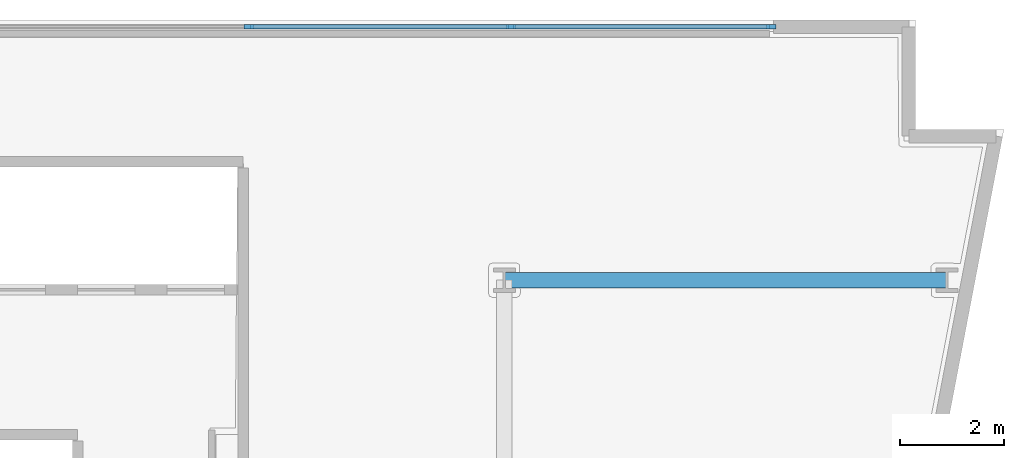
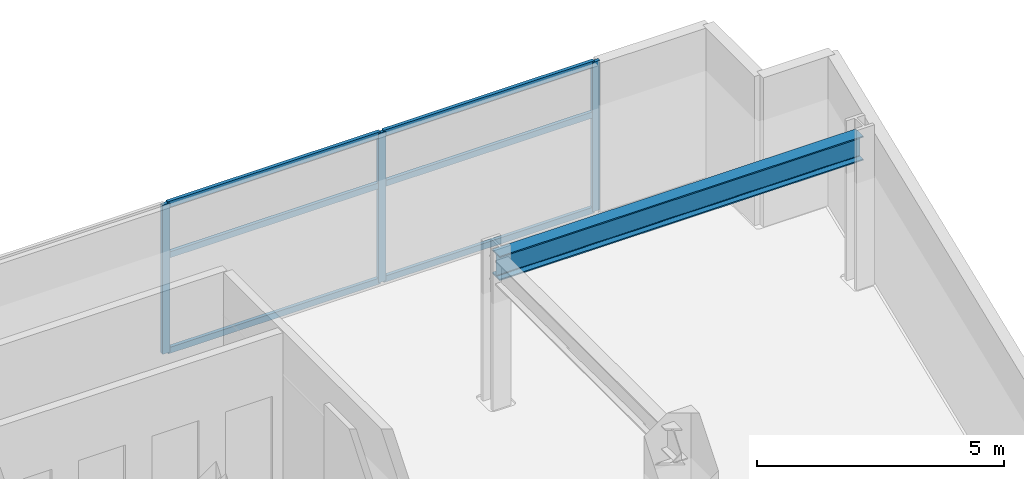
# One storey, part 4 of 13: 9 members, 1 beam, 1 element without a shape of its own.
"""IFC4 building model written with IfcOpenShell, lengths in metres."""

from ifc_helpers import new_model, si_unit, direction, frame, origin, origin_2d, place, context, subcontext, project, spatial, rectangle, i_section, extrude, material, layer, layer_set, material_profile, profile_set, type_object, element, aggregate, save


model = new_model("IFC4")

# Units and contexts
model_context = context("Model", 3, precision=1e-05, world=origin(), true_north=direction((0.0, 1.0)))
body_context = subcontext(model_context, "Body", "Model", "MODEL_VIEW")
ifc_project = project(units=[si_unit("LENGTHUNIT", "METRE"), si_unit("AREAUNIT", "SQUARE_METRE"), si_unit("VOLUMEUNIT", "CUBIC_METRE"), si_unit("PLANEANGLEUNIT", "RADIAN"), si_unit("MASSUNIT", "GRAM", prefix="KILO")], contexts=[model_context])

# Site, building, storey
site_placement = place(None, origin())
site = spatial("IfcSite", under=ifc_project, at=site_placement, CompositionType="ELEMENT")
building_placement = place(site_placement, origin())
building = spatial("IfcBuilding", under=site, at=building_placement, Name="Caeloran Harvest Quay", CompositionType="ELEMENT")
storey_placement = place(building_placement, frame((0.0, 0.0, 162.75)))
storey = spatial("IfcBuildingStorey", under=building, at=storey_placement, Name="L38", CompositionType="ELEMENT", Elevation=162.75)

# Beam
ifc_material_1 = material(Name="Steel S355J2", Category="steel")
ifc_material_profile_1 = material_profile(ifc_material_1, i_section(OverallWidth=0.300048828125, OverallDepth=0.60009765625, WebThickness=0.015380859375, FlangeThickness=0.030029296875, FilletRadius=0.027099609375, at=origin_2d()), Name="HE 600 B")
ifc_profile_set_1 = profile_set([ifc_material_profile_1], Name="Steel S355J2")
beam_type = type_object("IfcBeamType", Name="BM-PG-3-HE_600_B", PredefinedType="BEAM", material=ifc_profile_set_1)
beam_placement = place(storey_placement, frame((42.5, 38.5, 3.389892578125), z_axis=(1.0, 0.0, 0.0), x_axis=(0.0, 1.0, 0.0)))
element("IfcBeam", 1, at=beam_placement, inside=storey, type_object=beam_type, Name="L38 Primary East-West Girder Y=38.5", PredefinedType="BEAM", context=body_context, shape_type="SweptSolid", body=[
    extrude(i_section(OverallWidth=0.300048828125, OverallDepth=0.60009765625, WebThickness=0.015380859375, FlangeThickness=0.030029296875, FilletRadius=0.027099609375, at=origin_2d()), origin(), (0.0, 0.0, 1.0), 8.5),
])

# Curtain wall, members
ifc_material_2 = material(Name="Aluminium 6063-T6 and Low-E Glazing", Category="aluminium")
ifc_layer = layer(ifc_material_2, 0.22998046875, Name="Aluminium 6063-T6 and Low-E Glazing")
ifc_layer_set = layer_set([ifc_layer], Name="Aluminium 6063-T6 and Low-E Glazing")
curtain_wall_type = type_object("IfcCurtainWallType", Name="CW-SYS-CW-6", PredefinedType="USERDEFINED", material=ifc_layer_set)
curtain_wall_placement = place(storey_placement, origin())
curtain_wall = element("IfcCurtainWall", 2, at=curtain_wall_placement, inside=storey, type_object=curtain_wall_type, Name="L38 Unitised Curtain Wall CW-6 Run 6", ObjectType="CURTAIN_WALL", PredefinedType="USERDEFINED")
ifc_material_3 = material(Name="Aluminium 6063-T6", Category="aluminium")
ifc_material_profile_2 = material_profile(ifc_material_3, rectangle(XDim=0.080078125, YDim=0.179931640625, at=origin_2d()), Name="CW-MULLION-180")
ifc_profile_set_2 = profile_set([ifc_material_profile_2], Name="Aluminium 6063-T6")
member_type_1 = type_object("IfcMemberType", Name="CW-MULLION-180", PredefinedType="MULLION", material=ifc_profile_set_2)
member_1_placement = place(storey_placement, frame((37.5849609375, 43.3701171875, 0.0), z_axis=(0.0, 0.0, 1.0), x_axis=(0.0, 1.0, 0.0)))
member_1 = element("IfcMember", 3, at=member_1_placement, type_object=member_type_1, Name="CW-6 mullion 7", PredefinedType="MULLION", context=body_context, shape_type="SweptSolid", body=[
    extrude(rectangle(XDim=0.080078125, YDim=0.179931640625, at=origin_2d()), origin(), (0.0, 0.0, 1.0), 3.68994140625),
])
member_2_placement = place(storey_placement, frame((42.62744140625, 43.3701171875, 0.0), z_axis=(0.0, 0.0, 1.0), x_axis=(0.0, 1.0, 0.0)))
member_2 = element("IfcMember", 4, at=member_2_placement, type_object=member_type_1, Name="CW-6 mullion 8", PredefinedType="MULLION", context=body_context, shape_type="SweptSolid", body=[
    extrude(rectangle(XDim=0.080078125, YDim=0.179931640625, at=origin_2d()), origin(), (0.0, 0.0, 1.0), 3.68994140625),
])
member_3_placement = place(storey_placement, frame((47.6298828125, 43.3701171875, 0.0), z_axis=(0.0, 0.0, 1.0), x_axis=(0.0, 1.0, 0.0)))
member_3 = element("IfcMember", 5, at=member_3_placement, type_object=member_type_1, Name="CW-6 mullion 9", PredefinedType="MULLION", context=body_context, shape_type="SweptSolid", body=[
    extrude(rectangle(XDim=0.080078125, YDim=0.179931640625, at=origin_2d()), origin(), (0.0, 0.0, 1.0), 3.68994140625),
])
ifc_material_profile_3 = material_profile(ifc_material_3, rectangle(XDim=0.080078125, YDim=0.14990234375, at=origin_2d()), Name="CW-TRANSOM-150")
ifc_profile_set_3 = profile_set([ifc_material_profile_3], Name="Aluminium 6063-T6")
member_type_2 = type_object("IfcMemberType", Name="CW-TRANSOM-150", PredefinedType="USERDEFINED", material=ifc_profile_set_3)
member_4_placement = place(storey_placement, frame((37.625, 43.3701171875, 0.0400390625), z_axis=(1.0, 0.0, 0.0), x_axis=(0.0, 1.0, 0.0)))
member_4 = element("IfcMember", 6, at=member_4_placement, type_object=member_type_2, Name="CW-6 transom 7.1", ObjectType="TRANSOM", PredefinedType="USERDEFINED", context=body_context, shape_type="SweptSolid", body=[
    extrude(rectangle(XDim=0.080078125, YDim=0.14990234375, at=origin_2d()), origin(), (0.0, 0.0, 1.0), 4.96240234375),
])
member_5_placement = place(storey_placement, frame((37.625, 43.3701171875, 2.39990234375), z_axis=(1.0, 0.0, 0.0), x_axis=(0.0, 1.0, 0.0)))
member_5 = element("IfcMember", 7, at=member_5_placement, type_object=member_type_2, Name="CW-6 transom 7.2", ObjectType="TRANSOM", PredefinedType="USERDEFINED", context=body_context, shape_type="SweptSolid", body=[
    extrude(rectangle(XDim=0.080078125, YDim=0.14990234375, at=origin_2d()), origin(), (0.0, 0.0, 1.0), 4.96240234375),
])
member_6_placement = place(storey_placement, frame((37.625, 43.3701171875, 3.64990234375), z_axis=(1.0, 0.0, 0.0), x_axis=(0.0, 1.0, 0.0)))
member_6 = element("IfcMember", 8, at=member_6_placement, type_object=member_type_2, Name="CW-6 transom 7.3", ObjectType="TRANSOM", PredefinedType="USERDEFINED", context=body_context, shape_type="SweptSolid", body=[
    extrude(rectangle(XDim=0.080078125, YDim=0.14990234375, at=origin_2d()), origin(), (0.0, 0.0, 1.0), 4.96240234375),
])
member_7_placement = place(storey_placement, frame((42.66748046875, 43.3701171875, 0.0400390625), z_axis=(1.0, 0.0, 0.0), x_axis=(0.0, 1.0, 0.0)))
member_7 = element("IfcMember", 9, at=member_7_placement, type_object=member_type_2, Name="CW-6 transom 8.1", ObjectType="TRANSOM", PredefinedType="USERDEFINED", context=body_context, shape_type="SweptSolid", body=[
    extrude(rectangle(XDim=0.080078125, YDim=0.14990234375, at=origin_2d()), origin(), (0.0, 0.0, 1.0), 4.922607421875),
])
member_8_placement = place(storey_placement, frame((42.66748046875, 43.3701171875, 2.39990234375), z_axis=(1.0, 0.0, 0.0), x_axis=(0.0, 1.0, 0.0)))
member_8 = element("IfcMember", 10, at=member_8_placement, type_object=member_type_2, Name="CW-6 transom 8.2", ObjectType="TRANSOM", PredefinedType="USERDEFINED", context=body_context, shape_type="SweptSolid", body=[
    extrude(rectangle(XDim=0.080078125, YDim=0.14990234375, at=origin_2d()), origin(), (0.0, 0.0, 1.0), 4.922607421875),
])
member_9_placement = place(storey_placement, frame((42.66748046875, 43.3701171875, 3.64990234375), z_axis=(1.0, 0.0, 0.0), x_axis=(0.0, 1.0, 0.0)))
member_9 = element("IfcMember", 11, at=member_9_placement, type_object=member_type_2, Name="CW-6 transom 8.3", ObjectType="TRANSOM", PredefinedType="USERDEFINED", context=body_context, shape_type="SweptSolid", body=[
    extrude(rectangle(XDim=0.080078125, YDim=0.14990234375, at=origin_2d()), origin(), (0.0, 0.0, 1.0), 4.922607421875),
])
aggregate(curtain_wall, [member_1, member_2, member_3, member_4, member_5, member_6, member_7, member_8, member_9])

save(model, "model.ifc")
